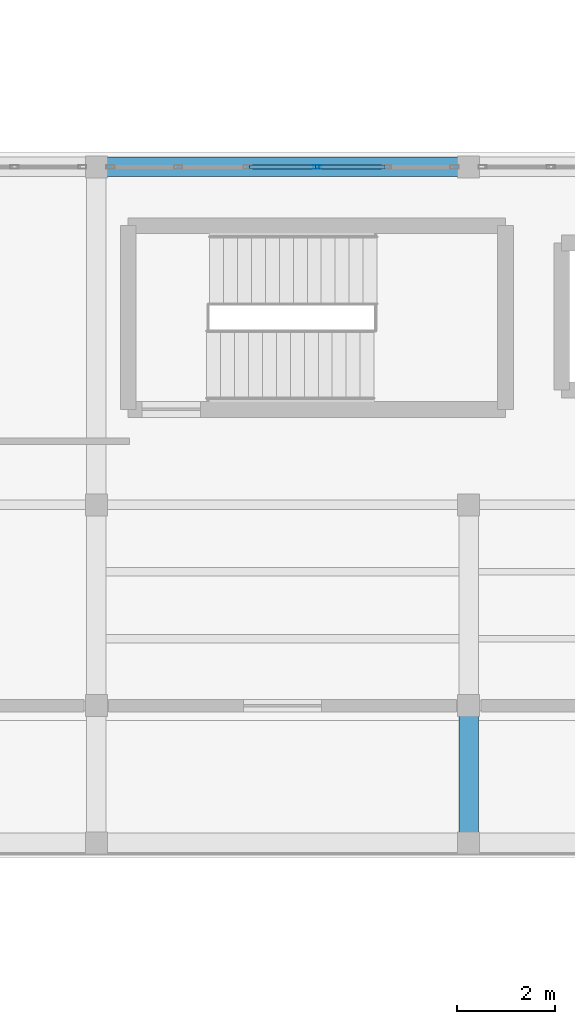
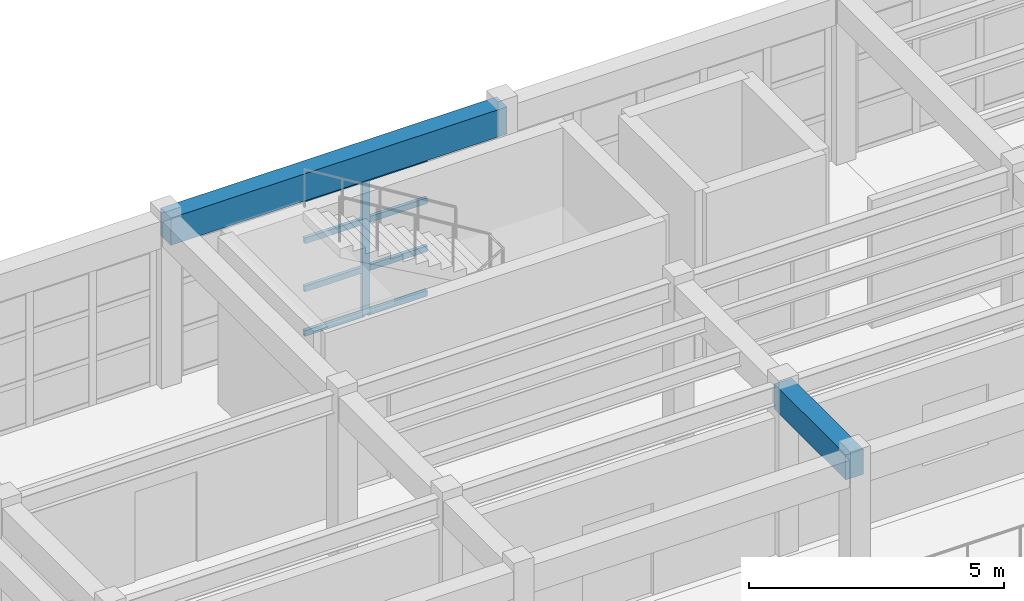
# One storey, part 10 of 66: 9 members, 2 beams, 1 element without a shape of its own.
"""IFC4 building model written with IfcOpenShell, lengths in metres."""

from ifc_helpers import new_model, si_unit, direction, frame, origin, origin_2d, place, context, subcontext, project, spatial, rectangle, hollow_rectangle, extrude, material, layer, layer_set, material_profile, profile_set, type_object, element, aggregate, save


model = new_model("IFC4")

# Units and contexts
model_context = context("Model", 3, precision=1e-05, world=origin(), true_north=direction((0.0, 1.0)))
body_context = subcontext(model_context, "Body", "Model", "MODEL_VIEW")
ifc_project = project(units=[si_unit("LENGTHUNIT", "METRE"), si_unit("AREAUNIT", "SQUARE_METRE"), si_unit("VOLUMEUNIT", "CUBIC_METRE"), si_unit("PLANEANGLEUNIT", "RADIAN"), si_unit("MASSUNIT", "GRAM", prefix="KILO")], contexts=[model_context])

# Site, building, storey
site_placement = place(None, origin())
site = spatial("IfcSite", under=ifc_project, at=site_placement, CompositionType="ELEMENT")
building_placement = place(site_placement, origin())
building = spatial("IfcBuilding", under=site, at=building_placement, Name="Candilejo Ridge Gondola Terminal", CompositionType="ELEMENT")
storey_placement = place(building_placement, frame((0.0, 0.0, 14.39990234375)))
storey = spatial("IfcBuildingStorey", under=building, at=storey_placement, Name="L03", CompositionType="ELEMENT", Elevation=14.39990234375)

# Curtain wall, members
ifc_material_1 = material(Name="Anodised aluminium AA 6063-T6", Category="aluminium")
ifc_layer = layer(ifc_material_1, 0.169921875)
ifc_layer_set = layer_set([ifc_layer], Name="ARC-CW-GALLERY-3200-710X329")
curtain_wall_type = type_object("IfcCurtainWallType", Name="ARC-CW-GALLERY-3200-710X329", PredefinedType="NOTDEFINED", material=ifc_layer_set)
curtain_wall_placement = place(storey_placement, origin())
curtain_wall = element("IfcCurtainWall", 1, at=curtain_wall_placement, inside=storey, type_object=curtain_wall_type, Name="Curtain wall V3 L03-095", PredefinedType="NOTDEFINED")
ifc_material_2 = material(Name="Anodised aluminium AA 6063-T6", Category="aluminium")
ifc_material_profile_1 = material_profile(ifc_material_2, hollow_rectangle(XDim=0.074951171875, YDim=0.169921875, WallThickness=0.00390625, at=origin_2d()))
ifc_profile_set_1 = profile_set([ifc_material_profile_1], Name="Anodised aluminium AA 6063-T6")
member_type_1 = type_object("IfcMemberType", Name="ARC-CW-MULLION", PredefinedType="MULLION", material=ifc_profile_set_1)
member_1_placement = place(storey_placement, frame((99.110107421875, 36.699951171875, 0.0), z_axis=(0.0, 0.0, 1.0), x_axis=(0.0, 1.0, 0.0)))
member_1 = element("IfcMember", 2, at=member_1_placement, type_object=member_type_1, Name="CW-71X32 mullion 4", PredefinedType="MULLION", context=body_context, shape_type="SweptSolid", body=[
    extrude(hollow_rectangle(XDim=0.074951171875, YDim=0.169921875, WallThickness=0.00390625, at=origin_2d()), origin(), (0.0, 0.0, 1.0), 3.2900390625),
])
ifc_material_3 = material(Name="Anodised aluminium AA 6063-T6", Category="aluminium")
ifc_material_profile_2 = material_profile(ifc_material_3, hollow_rectangle(XDim=0.074951171875, YDim=0.139892578125, WallThickness=0.00390625, at=origin_2d()))
ifc_profile_set_2 = profile_set([ifc_material_profile_2], Name="Anodised aluminium AA 6063-T6")
member_type_2 = type_object("IfcMemberType", Name="ARC-CW-TRANSOM", PredefinedType="USERDEFINED", material=ifc_profile_set_2)
member_2_placement = place(storey_placement, frame((97.7275390625, 36.699951171875, 0.03759765625), z_axis=(1.0, 0.0, 0.0), x_axis=(0.0, 1.0, 0.0)))
member_2 = element("IfcMember", 3, at=member_2_placement, type_object=member_type_2, Name="CW-71X32 transom 3.1", ObjectType="TRANSOM", PredefinedType="USERDEFINED", context=body_context, shape_type="SweptSolid", body=[
    extrude(hollow_rectangle(XDim=0.074951171875, YDim=0.139892578125, WallThickness=0.00390625, at=origin_2d()), origin(), (0.0, 0.0, 1.0), 1.344970703125),
])
member_3_placement = place(storey_placement, frame((97.7275390625, 36.699951171875, 1.10009765625), z_axis=(1.0, 0.0, 0.0), x_axis=(0.0, 1.0, 0.0)))
member_3 = element("IfcMember", 4, at=member_3_placement, type_object=member_type_2, Name="CW-71X32 transom 3.2", ObjectType="TRANSOM", PredefinedType="USERDEFINED", context=body_context, shape_type="SweptSolid", body=[
    extrude(hollow_rectangle(XDim=0.074951171875, YDim=0.139892578125, WallThickness=0.00390625, at=origin_2d()), origin(), (0.0, 0.0, 1.0), 1.344970703125),
])
member_4_placement = place(storey_placement, frame((97.7275390625, 36.699951171875, 2.25), z_axis=(1.0, 0.0, 0.0), x_axis=(0.0, 1.0, 0.0)))
member_4 = element("IfcMember", 5, at=member_4_placement, type_object=member_type_2, Name="CW-71X32 transom 3.3", ObjectType="TRANSOM", PredefinedType="USERDEFINED", context=body_context, shape_type="SweptSolid", body=[
    extrude(hollow_rectangle(XDim=0.074951171875, YDim=0.139892578125, WallThickness=0.00390625, at=origin_2d()), origin(), (0.0, 0.0, 1.0), 1.344970703125),
])
member_5_placement = place(storey_placement, frame((97.7275390625, 36.699951171875, 3.252685546875), z_axis=(1.0, 0.0, 0.0), x_axis=(0.0, 1.0, 0.0)))
member_5 = element("IfcMember", 6, at=member_5_placement, type_object=member_type_2, Name="CW-71X32 transom 3.4", ObjectType="TRANSOM", PredefinedType="USERDEFINED", context=body_context, shape_type="SweptSolid", body=[
    extrude(hollow_rectangle(XDim=0.074951171875, YDim=0.139892578125, WallThickness=0.00390625, at=origin_2d()), origin(), (0.0, 0.0, 1.0), 1.344970703125),
])
member_6_placement = place(storey_placement, frame((99.1474609375, 36.699951171875, 0.03759765625), z_axis=(1.0, 0.0, 0.0), x_axis=(0.0, 1.0, 0.0)))
member_6 = element("IfcMember", 7, at=member_6_placement, type_object=member_type_2, Name="CW-71X32 transom 4.1", ObjectType="TRANSOM", PredefinedType="USERDEFINED", context=body_context, shape_type="SweptSolid", body=[
    extrude(hollow_rectangle(XDim=0.074951171875, YDim=0.139892578125, WallThickness=0.00390625, at=origin_2d()), origin(), (0.0, 0.0, 1.0), 1.344970703125),
])
member_7_placement = place(storey_placement, frame((99.1474609375, 36.699951171875, 1.10009765625), z_axis=(1.0, 0.0, 0.0), x_axis=(0.0, 1.0, 0.0)))
member_7 = element("IfcMember", 8, at=member_7_placement, type_object=member_type_2, Name="CW-71X32 transom 4.2", ObjectType="TRANSOM", PredefinedType="USERDEFINED", context=body_context, shape_type="SweptSolid", body=[
    extrude(hollow_rectangle(XDim=0.074951171875, YDim=0.139892578125, WallThickness=0.00390625, at=origin_2d()), origin(), (0.0, 0.0, 1.0), 1.344970703125),
])
member_8_placement = place(storey_placement, frame((99.1474609375, 36.699951171875, 2.25), z_axis=(1.0, 0.0, 0.0), x_axis=(0.0, 1.0, 0.0)))
member_8 = element("IfcMember", 9, at=member_8_placement, type_object=member_type_2, Name="CW-71X32 transom 4.3", ObjectType="TRANSOM", PredefinedType="USERDEFINED", context=body_context, shape_type="SweptSolid", body=[
    extrude(hollow_rectangle(XDim=0.074951171875, YDim=0.139892578125, WallThickness=0.00390625, at=origin_2d()), origin(), (0.0, 0.0, 1.0), 1.344970703125),
])
member_9_placement = place(storey_placement, frame((99.1474609375, 36.699951171875, 3.252685546875), z_axis=(1.0, 0.0, 0.0), x_axis=(0.0, 1.0, 0.0)))
member_9 = element("IfcMember", 10, at=member_9_placement, type_object=member_type_2, Name="CW-71X32 transom 4.4", ObjectType="TRANSOM", PredefinedType="USERDEFINED", context=body_context, shape_type="SweptSolid", body=[
    extrude(hollow_rectangle(XDim=0.074951171875, YDim=0.139892578125, WallThickness=0.00390625, at=origin_2d()), origin(), (0.0, 0.0, 1.0), 1.344970703125),
])
aggregate(curtain_wall, [member_1, member_2, member_3, member_4, member_5, member_6, member_7, member_8, member_9])

# Beams
ifc_material_4 = material(Name="Concrete f'c 35 MPa (C35/45)", Category="concrete")
ifc_material_profile_3 = material_profile(ifc_material_4, rectangle(XDim=0.39990234375, YDim=0.60009765625, at=origin_2d()))
ifc_profile_set_3 = profile_set([ifc_material_profile_3], Name="Concrete f'c 35 MPa (C35/45)")
beam_type_1 = type_object("IfcBeamType", Name="STR-BM-RC400X600", PredefinedType="BEAM", material=ifc_profile_set_3)
beam_1_placement = place(storey_placement, frame((102.199951171875, 22.89990234375, 3.690185546875), z_axis=(0.0, 1.0, 0.0), x_axis=(-1.0, 0.0, 0.0)))
element("IfcBeam", 11, at=beam_1_placement, inside=storey, type_object=beam_type_1, Name="Beam Y V3 L03 Y04-Y05@X16", PredefinedType="BEAM", context=body_context, shape_type="SweptSolid", body=[
    extrude(rectangle(XDim=0.39990234375, YDim=0.60009765625, at=origin_2d()), origin(), (0.0, 0.0, 1.0), 2.800048828125),
])
ifc_material_5 = material(Name="Concrete f'c 35 MPa (C35/45)", Category="concrete")
ifc_material_profile_4 = material_profile(ifc_material_5, rectangle(XDim=0.39990234375, YDim=0.64990234375, at=origin_2d()))
ifc_profile_set_4 = profile_set([ifc_material_profile_4], Name="Concrete f'c 35 MPa (C35/45)")
beam_type_2 = type_object("IfcBeamType", Name="STR-SPN-RC400X650", PredefinedType="SPANDREL", material=ifc_profile_set_4)
beam_2_placement = place(storey_placement, frame((94.60009765625, 36.699951171875, 3.6650390625), z_axis=(1.0, 0.0, 0.0), x_axis=(0.0, 1.0, 0.0)))
element("IfcBeam", 12, at=beam_2_placement, inside=storey, type_object=beam_type_2, Name="Beam X V3 L03 X15-X16@Y07", PredefinedType="SPANDREL", context=body_context, shape_type="SweptSolid", body=[
    extrude(rectangle(XDim=0.39990234375, YDim=0.64990234375, at=origin_2d()), origin(), (0.0, 0.0, 1.0), 7.599853515625),
])

save(model, "model.ifc")
